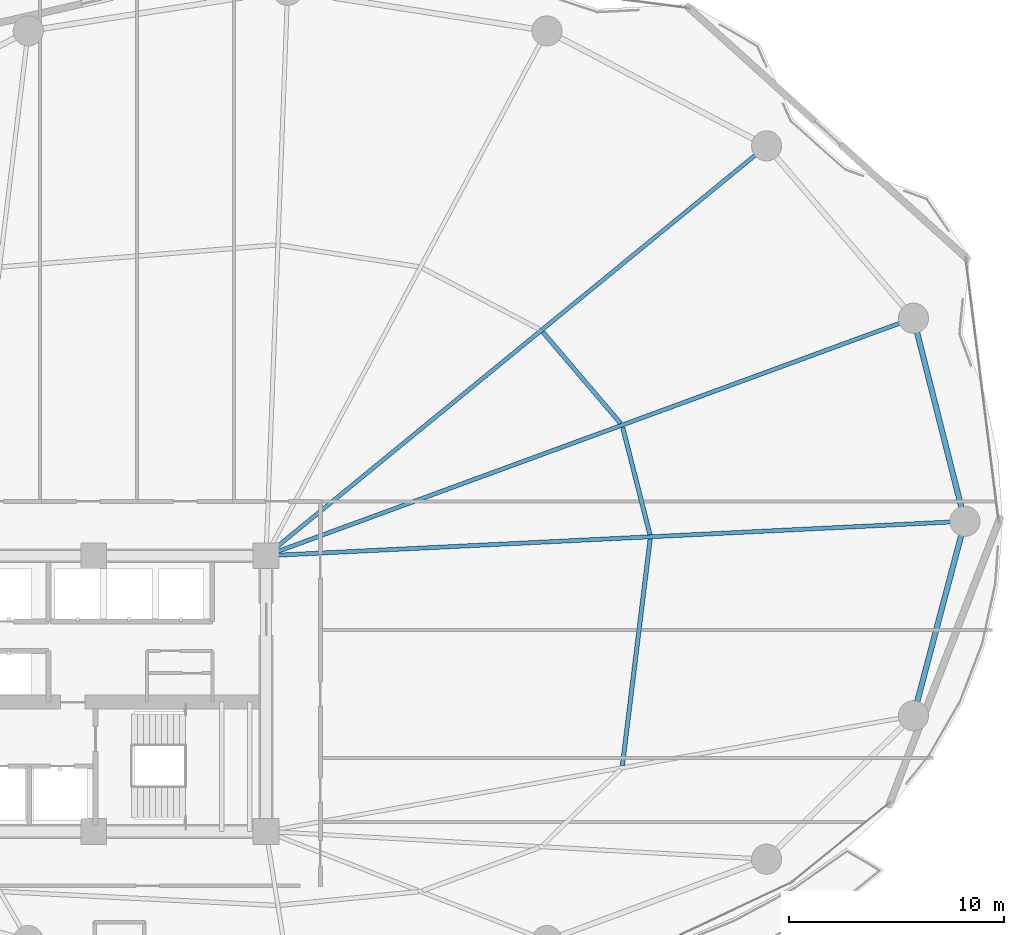
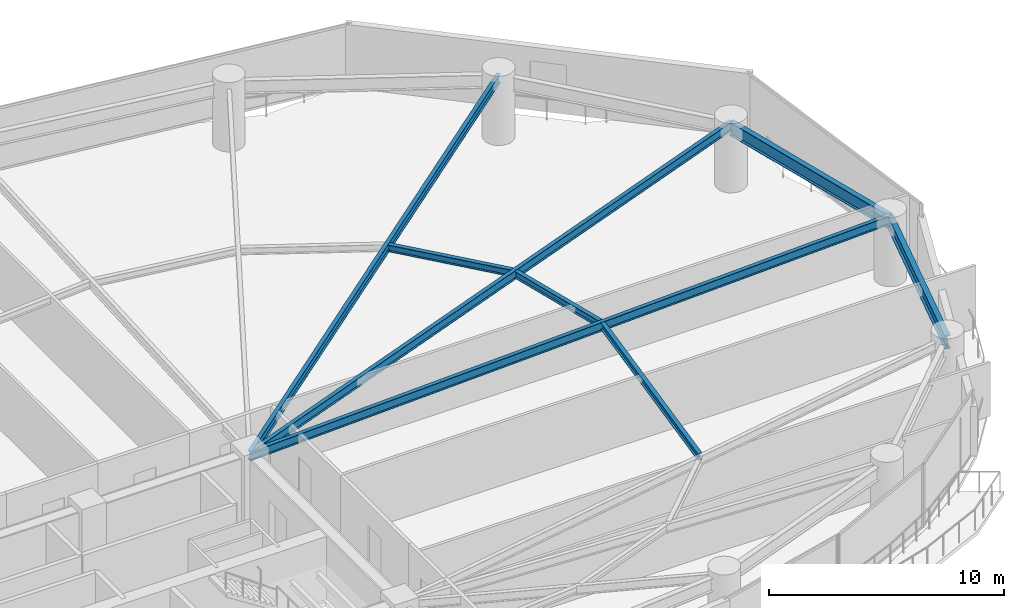
# One storey, part 16 of 30: 8 beams.
"""IFC4 building model written with IfcOpenShell, lengths in metres."""

from ifc_helpers import new_model, si_unit, direction, frame, origin, origin_2d, place, context, subcontext, project, spatial, i_section, extrude, material, material_profile, profile_set, type_object, element, save


model = new_model("IFC4")

# Units and contexts
model_context = context("Model", 3, precision=1e-05, world=origin(), true_north=direction((0.0, 1.0)))
body_context = subcontext(model_context, "Body", "Model", "MODEL_VIEW")
ifc_project = project(units=[si_unit("LENGTHUNIT", "METRE"), si_unit("AREAUNIT", "SQUARE_METRE"), si_unit("VOLUMEUNIT", "CUBIC_METRE"), si_unit("PLANEANGLEUNIT", "RADIAN"), si_unit("MASSUNIT", "GRAM", prefix="KILO")], contexts=[model_context])

# Site, building, storey
site_placement = place(None, origin())
site = spatial("IfcSite", under=ifc_project, at=site_placement, CompositionType="ELEMENT")
building_placement = place(site_placement, origin())
building = spatial("IfcBuilding", under=site, at=building_placement, Name="Kazevale Care Tower and Concert Hall", CompositionType="ELEMENT")
storey_placement = place(building_placement, frame((0.0, 0.0, 88.800048828125)))
storey = spatial("IfcBuildingStorey", under=building, at=storey_placement, Name="L23", CompositionType="ELEMENT", Elevation=88.800048828125)

# Beams
ifc_material = material(Name="Steel ASTM A572 Gr 50", Category="steel")
ifc_material_profile_1 = material_profile(ifc_material, i_section(OverallWidth=0.19091796875, OverallDepth=0.4599609375, WebThickness=0.010009765625, FlangeThickness=0.01611328125, at=origin_2d()), Name="W460x82")
ifc_profile_set_1 = profile_set([ifc_material_profile_1], Name="Steel ASTM A572 Gr 50")
beam_type_1 = type_object("IfcBeamType", Name="Radial Floor Beam W460x82", PredefinedType="BEAM", material=ifc_profile_set_1)
beam_1_placement = place(storey_placement, frame((44.0, 36.39990234375, 3.050048828125), z_axis=(0.998786488782, 0.049249871327, 0.0), x_axis=(-0.049249871327, 0.998786488782, 0.0)))
element("IfcBeam", 1, at=beam_1_placement, inside=storey, type_object=beam_type_1, Name="beam:L23:rad:01", PredefinedType="BEAM", context=body_context, shape_type="SweptSolid", body=[
    extrude(i_section(OverallWidth=0.19091796875, OverallDepth=0.4599609375, WebThickness=0.010009765625, FlangeThickness=0.01611328125, at=origin_2d()), origin(), (0.0, 0.0, 1.0), 32.4892578125),
])
beam_2_placement = place(storey_placement, frame((44.0, 36.39990234375, 3.050048828125), z_axis=(0.938795458019, 0.34447509054, 0.0), x_axis=(-0.34447509054, 0.938795458019, 0.0)))
element("IfcBeam", 2, at=beam_2_placement, inside=storey, type_object=beam_type_1, Name="beam:L23:rad:02", PredefinedType="BEAM", context=body_context, shape_type="SweptSolid", body=[
    extrude(i_section(OverallWidth=0.19091796875, OverallDepth=0.4599609375, WebThickness=0.010009765625, FlangeThickness=0.01611328125, at=origin_2d()), origin(), (0.0, 0.0, 1.0), 32.019775390625),
])
beam_3_placement = place(storey_placement, frame((44.0, 36.39990234375, 3.050048828125), z_axis=(0.773704467398, 0.633546681097, 0.0), x_axis=(-0.633546681097, 0.773704467398, 0.0)))
element("IfcBeam", 3, at=beam_3_placement, inside=storey, type_object=beam_type_1, Name="beam:L23:rad:03", PredefinedType="BEAM", context=body_context, shape_type="SweptSolid", body=[
    extrude(i_section(OverallWidth=0.19091796875, OverallDepth=0.4599609375, WebThickness=0.010009765625, FlangeThickness=0.01611328125, at=origin_2d()), origin(), (0.0, 0.0, 1.0), 30.037353515625),
])
ifc_material_profile_2 = material_profile(ifc_material, i_section(OverallWidth=0.205078125, OverallDepth=0.35400390625, WebThickness=0.009521484375, FlangeThickness=0.016845703125, at=origin_2d()), Name="W360x79")
ifc_profile_set_2 = profile_set([ifc_material_profile_2], Name="Steel ASTM A572 Gr 50")
beam_type_2 = type_object("IfcBeamType", Name="Secondary Floor Joist W360x79", PredefinedType="JOIST", material=ifc_profile_set_2)
beam_4_placement = place(storey_placement, frame((61.822021484375, 37.382080078125, 3.10302734375), z_axis=(-0.24568570229, 0.969349542575, 0.0), x_axis=(-0.969349542575, -0.24568570229, 0.0)))
element("IfcBeam", 4, at=beam_4_placement, inside=storey, type_object=beam_type_2, Name="beam:L23:joist:01", PredefinedType="JOIST", context=body_context, shape_type="SweptSolid", body=[
    extrude(i_section(OverallWidth=0.205078125, OverallDepth=0.35400390625, WebThickness=0.009521484375, FlangeThickness=0.016845703125, at=origin_2d()), origin(), (0.0, 0.0, 1.0), 5.140380859375),
])
beam_5_placement = place(storey_placement, frame((60.465087890625, 42.5458984375, 3.10302734375), z_axis=(-0.648685510477, 0.761056573783, 0.0), x_axis=(-0.761056573783, -0.648685510477, 0.0)))
element("IfcBeam", 5, at=beam_5_placement, inside=storey, type_object=beam_type_2, Name="beam:L23:joist:02", PredefinedType="JOIST", context=body_context, shape_type="SweptSolid", body=[
    extrude(i_section(OverallWidth=0.205078125, OverallDepth=0.35400390625, WebThickness=0.009521484375, FlangeThickness=0.016845703125, at=origin_2d()), origin(), (0.0, 0.0, 1.0), 5.57275390625),
])
beam_6_placement = place(storey_placement, frame((60.5458984375, 26.657958984375, 3.10302734375), z_axis=(0.1216468088, 0.992573450133, 0.0), x_axis=(-0.992573450133, 0.1216468088, 0.0)))
element("IfcBeam", 6, at=beam_6_placement, inside=storey, type_object=beam_type_2, Name="beam:L23:joist:16", PredefinedType="JOIST", context=body_context, shape_type="SweptSolid", body=[
    extrude(i_section(OverallWidth=0.205078125, OverallDepth=0.35400390625, WebThickness=0.009521484375, FlangeThickness=0.016845703125, at=origin_2d()), origin(), (0.0, 0.0, 1.0), 10.5966796875),
])
ifc_material_profile_3 = material_profile(ifc_material, i_section(OverallWidth=0.256103515625, OverallDepth=0.693115234375, WebThickness=0.014404296875, FlangeThickness=0.023681640625, at=origin_2d()), Name="W690x170")
ifc_profile_set_3 = profile_set([ifc_material_profile_3], Name="Steel ASTM A572 Gr 50")
beam_type_3 = type_object("IfcBeamType", Name="Waist Ring Beam W690x170", PredefinedType="BEAM", material=ifc_profile_set_3)
beam_7_placement = place(storey_placement, frame((76.449951171875, 38.0, 2.933349609375), z_axis=(-0.245669948409, 0.969353535326, 0.0), x_axis=(-0.969353535326, -0.245669948409, 0.0)))
element("IfcBeam", 7, at=beam_7_placement, inside=storey, type_object=beam_type_3, Name="beam:L23:ring:01", PredefinedType="BEAM", context=body_context, shape_type="SweptSolid", body=[
    extrude(i_section(OverallWidth=0.256103515625, OverallDepth=0.693115234375, WebThickness=0.014404296875, FlangeThickness=0.023681640625, at=origin_2d()), origin(), (0.0, 0.0, 1.0), 9.72802734375),
])
beam_8_placement = place(storey_placement, frame((74.06005859375, 28.969970703125, 2.933349609375), z_axis=(0.255851611973, 0.966716066201, 0.0), x_axis=(-0.966716066201, 0.255851611973, 0.0)))
element("IfcBeam", 8, at=beam_8_placement, inside=storey, type_object=beam_type_3, Name="beam:L23:ring:16", PredefinedType="BEAM", context=body_context, shape_type="SweptSolid", body=[
    extrude(i_section(OverallWidth=0.256103515625, OverallDepth=0.693115234375, WebThickness=0.014404296875, FlangeThickness=0.023681640625, at=origin_2d()), origin(), (0.0, 0.0, 1.0), 9.3408203125),
])

save(model, "model.ifc")
